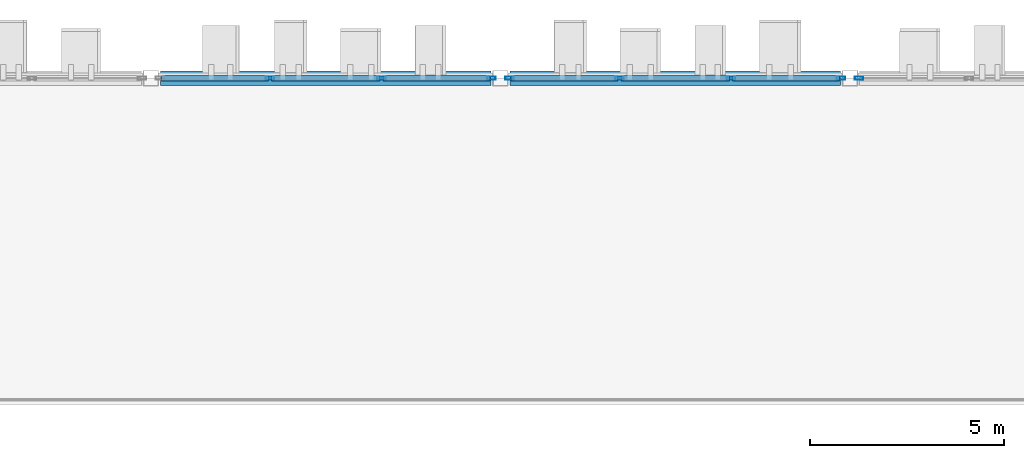
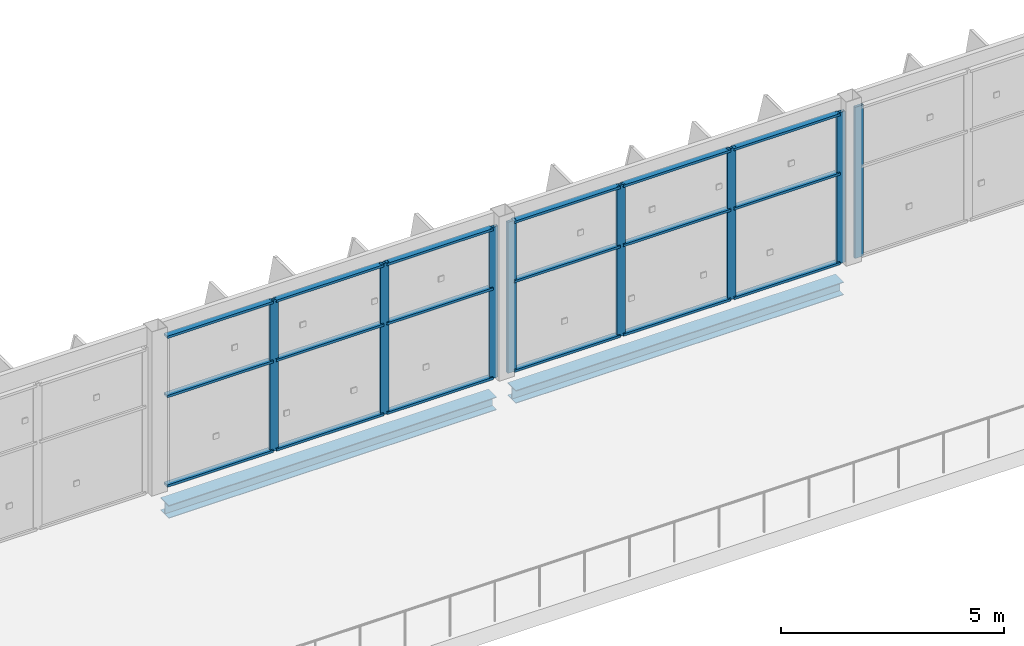
# One storey, part 81 of 151: 26 members, 2 beams, 3 elements without a shape of their own.
"""IFC4 building model written with IfcOpenShell, lengths in metres."""

from ifc_helpers import new_model, si_unit, direction, frame, origin, origin_2d, place, context, subcontext, project, spatial, hollow_rectangle, i_section, extrude, material, layer, layer_set, material_profile, profile_set, type_object, element, aggregate, save


model = new_model("IFC4")

# Units and contexts
model_context = context("Model", 3, precision=1e-05, world=origin(), true_north=direction((0.0, 1.0)))
body_context = subcontext(model_context, "Body", "Model", "MODEL_VIEW")
ifc_project = project(units=[si_unit("LENGTHUNIT", "METRE"), si_unit("AREAUNIT", "SQUARE_METRE"), si_unit("VOLUMEUNIT", "CUBIC_METRE"), si_unit("PLANEANGLEUNIT", "RADIAN"), si_unit("MASSUNIT", "GRAM", prefix="KILO")], contexts=[model_context])

# Site, building, storey
site_placement = place(None, origin())
site = spatial("IfcSite", under=ifc_project, at=site_placement, CompositionType="ELEMENT")
building_placement = place(site_placement, origin())
building = spatial("IfcBuilding", under=site, at=building_placement, Name="Celestram Park Convention Centre", CompositionType="ELEMENT")
storey_placement = place(building_placement, frame((0.0, 0.0, 10.800048828125)))
storey = spatial("IfcBuildingStorey", under=building, at=storey_placement, Name="L02", CompositionType="ELEMENT", Elevation=10.800048828125)

# Curtain wall, members
ifc_material_1 = material(Name="Anodised Aluminium Alloy 6063-T6", Category="aluminium")
ifc_layer = layer(ifc_material_1, 0.179931640625)
ifc_layer_set = layer_set([ifc_layer], Name="Anodised Aluminium Alloy 6063-T6")
curtain_wall_type = type_object("IfcCurtainWallType", Name="ARC-CW-860X414", PredefinedType="NOTDEFINED", material=ifc_layer_set)
curtain_wall_1_placement = place(storey_placement, origin())
curtain_wall_1 = element("IfcCurtainWall", 1, at=curtain_wall_1_placement, inside=storey, type_object=curtain_wall_type, Name="Unitised curtain wall CU-L02-164", PredefinedType="NOTDEFINED")
ifc_material_profile_1 = material_profile(ifc_material_1, hollow_rectangle(XDim=0.074951171875, YDim=0.219970703125, WallThickness=0.00390625, at=origin_2d()), Name="ALU75X220X4")
ifc_profile_set_1 = profile_set([ifc_material_profile_1], Name="Anodised Aluminium Alloy 6063-T6")
member_type_1 = type_object("IfcMemberType", Name="ARC-CWM-180", PredefinedType="MULLION", material=ifc_profile_set_1)
member_1_placement = place(storey_placement, frame((165.06591796875, 165.60009765625, 0.0), z_axis=(0.0, 0.0, 1.0), x_axis=(0.0, 1.0, 0.0)))
member_1 = element("IfcMember", 2, at=member_1_placement, type_object=member_type_1, Name="CW-86X41 mullion 2", PredefinedType="MULLION", context=body_context, shape_type="SweptSolid", body=[
    extrude(hollow_rectangle(XDim=0.074951171875, YDim=0.219970703125, WallThickness=0.00390625, at=origin_2d()), origin(), (0.0, 0.0, 1.0), 4.14404296875),
])
member_2_placement = place(storey_placement, frame((167.93408203125, 165.60009765625, 0.0), z_axis=(0.0, 0.0, 1.0), x_axis=(0.0, 1.0, 0.0)))
member_2 = element("IfcMember", 3, at=member_2_placement, type_object=member_type_1, Name="CW-86X41 mullion 3", PredefinedType="MULLION", context=body_context, shape_type="SweptSolid", body=[
    extrude(hollow_rectangle(XDim=0.074951171875, YDim=0.219970703125, WallThickness=0.00390625, at=origin_2d()), origin(), (0.0, 0.0, 1.0), 4.14404296875),
])
member_3_placement = place(storey_placement, frame((170.764404296875, 165.60009765625, 0.0), z_axis=(0.0, 0.0, 1.0), x_axis=(0.0, 1.0, 0.0)))
member_3 = element("IfcMember", 4, at=member_3_placement, type_object=member_type_1, Name="CW-86X41 mullion 4", PredefinedType="MULLION", context=body_context, shape_type="SweptSolid", body=[
    extrude(hollow_rectangle(XDim=0.074951171875, YDim=0.219970703125, WallThickness=0.00390625, at=origin_2d()), origin(), (0.0, 0.0, 1.0), 4.14404296875),
])

curtain_wall_2_placement = place(storey_placement, origin())
curtain_wall_2 = element("IfcCurtainWall", 5, at=curtain_wall_2_placement, inside=storey, type_object=curtain_wall_type, Name="Unitised curtain wall CU-L02-165", PredefinedType="NOTDEFINED")
member_4_placement = place(storey_placement, frame((171.235595703125, 165.60009765625, 0.0), z_axis=(0.0, 0.0, 1.0), x_axis=(0.0, 1.0, 0.0)))
member_4 = element("IfcMember", 6, at=member_4_placement, type_object=member_type_1, Name="CW-86X41 mullion 1", PredefinedType="MULLION", context=body_context, shape_type="SweptSolid", body=[
    extrude(hollow_rectangle(XDim=0.074951171875, YDim=0.219970703125, WallThickness=0.00390625, at=origin_2d()), origin(), (0.0, 0.0, 1.0), 4.14404296875),
])
member_5_placement = place(storey_placement, frame((174.06591796875, 165.60009765625, 0.0), z_axis=(0.0, 0.0, 1.0), x_axis=(0.0, 1.0, 0.0)))
member_5 = element("IfcMember", 7, at=member_5_placement, type_object=member_type_1, Name="CW-86X41 mullion 2", PredefinedType="MULLION", context=body_context, shape_type="SweptSolid", body=[
    extrude(hollow_rectangle(XDim=0.074951171875, YDim=0.219970703125, WallThickness=0.00390625, at=origin_2d()), origin(), (0.0, 0.0, 1.0), 4.14404296875),
])
member_6_placement = place(storey_placement, frame((176.93408203125, 165.60009765625, 0.0), z_axis=(0.0, 0.0, 1.0), x_axis=(0.0, 1.0, 0.0)))
member_6 = element("IfcMember", 8, at=member_6_placement, type_object=member_type_1, Name="CW-86X41 mullion 3", PredefinedType="MULLION", context=body_context, shape_type="SweptSolid", body=[
    extrude(hollow_rectangle(XDim=0.074951171875, YDim=0.219970703125, WallThickness=0.00390625, at=origin_2d()), origin(), (0.0, 0.0, 1.0), 4.14404296875),
])
member_7_placement = place(storey_placement, frame((179.764404296875, 165.60009765625, 0.0), z_axis=(0.0, 0.0, 1.0), x_axis=(0.0, 1.0, 0.0)))
member_7 = element("IfcMember", 9, at=member_7_placement, type_object=member_type_1, Name="CW-86X41 mullion 4", PredefinedType="MULLION", context=body_context, shape_type="SweptSolid", body=[
    extrude(hollow_rectangle(XDim=0.074951171875, YDim=0.219970703125, WallThickness=0.00390625, at=origin_2d()), origin(), (0.0, 0.0, 1.0), 4.14404296875),
])

# Curtain wall, member
curtain_wall_3_placement = place(storey_placement, origin())
curtain_wall_3 = element("IfcCurtainWall", 10, at=curtain_wall_3_placement, inside=storey, type_object=curtain_wall_type, Name="Unitised curtain wall CU-L02-166", PredefinedType="NOTDEFINED")
member_8_placement = place(storey_placement, frame((180.235595703125, 165.60009765625, 0.0), z_axis=(0.0, 0.0, 1.0), x_axis=(0.0, 1.0, 0.0)))
member_8 = element("IfcMember", 11, at=member_8_placement, type_object=member_type_1, Name="CW-86X41 mullion 1", PredefinedType="MULLION", context=body_context, shape_type="SweptSolid", body=[
    extrude(hollow_rectangle(XDim=0.074951171875, YDim=0.219970703125, WallThickness=0.00390625, at=origin_2d()), origin(), (0.0, 0.0, 1.0), 4.14404296875),
])
aggregate(curtain_wall_3, [member_8])

# Member
ifc_material_profile_2 = material_profile(ifc_material_1, hollow_rectangle(XDim=0.14990234375, YDim=0.06494140625, WallThickness=0.0029296875, at=origin_2d()), Name="ALU150X65X3")
ifc_profile_set_2 = profile_set([ifc_material_profile_2], Name="Anodised Aluminium Alloy 6063-T6")
member_type_2 = type_object("IfcMemberType", Name="ARC-CWT-150", PredefinedType="USERDEFINED", material=ifc_profile_set_2)
member_9_placement = place(storey_placement, frame((162.27294921875, 165.60009765625, 0.032470703125), z_axis=(1.0, 0.0, 0.0), x_axis=(0.0, 1.0, 0.0)))
member_9 = element("IfcMember", 12, at=member_9_placement, type_object=member_type_2, Name="CW-86X41 transom 1.1", ObjectType="TRANSOM", PredefinedType="USERDEFINED", context=body_context, shape_type="SweptSolid", body=[
    extrude(hollow_rectangle(XDim=0.14990234375, YDim=0.06494140625, WallThickness=0.0029296875, at=origin_2d()), origin(), (0.0, 0.0, 1.0), 2.755615234375),
])

member_10_placement = place(storey_placement, frame((162.27294921875, 165.60009765625, 2.48583984375), z_axis=(1.0, 0.0, 0.0), x_axis=(0.0, 1.0, 0.0)))
member_10 = element("IfcMember", 13, at=member_10_placement, type_object=member_type_2, Name="CW-86X41 transom 1.2", ObjectType="TRANSOM", PredefinedType="USERDEFINED", context=body_context, shape_type="SweptSolid", body=[
    extrude(hollow_rectangle(XDim=0.14990234375, YDim=0.06494140625, WallThickness=0.0029296875, at=origin_2d()), origin(), (0.0, 0.0, 1.0), 2.755615234375),
])

member_11_placement = place(storey_placement, frame((162.27294921875, 165.60009765625, 4.111572265625), z_axis=(1.0, 0.0, 0.0), x_axis=(0.0, 1.0, 0.0)))
member_11 = element("IfcMember", 14, at=member_11_placement, type_object=member_type_2, Name="CW-86X41 transom 1.3", ObjectType="TRANSOM", PredefinedType="USERDEFINED", context=body_context, shape_type="SweptSolid", body=[
    extrude(hollow_rectangle(XDim=0.14990234375, YDim=0.06494140625, WallThickness=0.0029296875, at=origin_2d()), origin(), (0.0, 0.0, 1.0), 2.755615234375),
])

member_12_placement = place(storey_placement, frame((165.103515625, 165.60009765625, 0.032470703125), z_axis=(1.0, 0.0, 0.0), x_axis=(0.0, 1.0, 0.0)))
member_12 = element("IfcMember", 15, at=member_12_placement, type_object=member_type_2, Name="CW-86X41 transom 2.1", ObjectType="TRANSOM", PredefinedType="USERDEFINED", context=body_context, shape_type="SweptSolid", body=[
    extrude(hollow_rectangle(XDim=0.14990234375, YDim=0.06494140625, WallThickness=0.0029296875, at=origin_2d()), origin(), (0.0, 0.0, 1.0), 2.79296875),
])

member_13_placement = place(storey_placement, frame((165.103515625, 165.60009765625, 2.48583984375), z_axis=(1.0, 0.0, 0.0), x_axis=(0.0, 1.0, 0.0)))
member_13 = element("IfcMember", 16, at=member_13_placement, type_object=member_type_2, Name="CW-86X41 transom 2.2", ObjectType="TRANSOM", PredefinedType="USERDEFINED", context=body_context, shape_type="SweptSolid", body=[
    extrude(hollow_rectangle(XDim=0.14990234375, YDim=0.06494140625, WallThickness=0.0029296875, at=origin_2d()), origin(), (0.0, 0.0, 1.0), 2.79296875),
])

member_14_placement = place(storey_placement, frame((165.103515625, 165.60009765625, 4.111572265625), z_axis=(1.0, 0.0, 0.0), x_axis=(0.0, 1.0, 0.0)))
member_14 = element("IfcMember", 17, at=member_14_placement, type_object=member_type_2, Name="CW-86X41 transom 2.3", ObjectType="TRANSOM", PredefinedType="USERDEFINED", context=body_context, shape_type="SweptSolid", body=[
    extrude(hollow_rectangle(XDim=0.14990234375, YDim=0.06494140625, WallThickness=0.0029296875, at=origin_2d()), origin(), (0.0, 0.0, 1.0), 2.79296875),
])

member_15_placement = place(storey_placement, frame((167.971435546875, 165.60009765625, 0.032470703125), z_axis=(1.0, 0.0, 0.0), x_axis=(0.0, 1.0, 0.0)))
member_15 = element("IfcMember", 18, at=member_15_placement, type_object=member_type_2, Name="CW-86X41 transom 3.1", ObjectType="TRANSOM", PredefinedType="USERDEFINED", context=body_context, shape_type="SweptSolid", body=[
    extrude(hollow_rectangle(XDim=0.14990234375, YDim=0.06494140625, WallThickness=0.0029296875, at=origin_2d()), origin(), (0.0, 0.0, 1.0), 2.755615234375),
])

member_16_placement = place(storey_placement, frame((167.971435546875, 165.60009765625, 2.48583984375), z_axis=(1.0, 0.0, 0.0), x_axis=(0.0, 1.0, 0.0)))
member_16 = element("IfcMember", 19, at=member_16_placement, type_object=member_type_2, Name="CW-86X41 transom 3.2", ObjectType="TRANSOM", PredefinedType="USERDEFINED", context=body_context, shape_type="SweptSolid", body=[
    extrude(hollow_rectangle(XDim=0.14990234375, YDim=0.06494140625, WallThickness=0.0029296875, at=origin_2d()), origin(), (0.0, 0.0, 1.0), 2.755615234375),
])

member_17_placement = place(storey_placement, frame((167.971435546875, 165.60009765625, 4.111572265625), z_axis=(1.0, 0.0, 0.0), x_axis=(0.0, 1.0, 0.0)))
member_17 = element("IfcMember", 20, at=member_17_placement, type_object=member_type_2, Name="CW-86X41 transom 3.3", ObjectType="TRANSOM", PredefinedType="USERDEFINED", context=body_context, shape_type="SweptSolid", body=[
    extrude(hollow_rectangle(XDim=0.14990234375, YDim=0.06494140625, WallThickness=0.0029296875, at=origin_2d()), origin(), (0.0, 0.0, 1.0), 2.755615234375),
])

aggregate(curtain_wall_1, [member_1, member_2, member_3, member_9, member_10, member_11, member_12, member_13, member_14, member_15, member_16, member_17])

member_18_placement = place(storey_placement, frame((171.27294921875, 165.60009765625, 0.032470703125), z_axis=(1.0, 0.0, 0.0), x_axis=(0.0, 1.0, 0.0)))
member_18 = element("IfcMember", 21, at=member_18_placement, type_object=member_type_2, Name="CW-86X41 transom 1.1", ObjectType="TRANSOM", PredefinedType="USERDEFINED", context=body_context, shape_type="SweptSolid", body=[
    extrude(hollow_rectangle(XDim=0.14990234375, YDim=0.06494140625, WallThickness=0.0029296875, at=origin_2d()), origin(), (0.0, 0.0, 1.0), 2.755615234375),
])

member_19_placement = place(storey_placement, frame((171.27294921875, 165.60009765625, 2.48583984375), z_axis=(1.0, 0.0, 0.0), x_axis=(0.0, 1.0, 0.0)))
member_19 = element("IfcMember", 22, at=member_19_placement, type_object=member_type_2, Name="CW-86X41 transom 1.2", ObjectType="TRANSOM", PredefinedType="USERDEFINED", context=body_context, shape_type="SweptSolid", body=[
    extrude(hollow_rectangle(XDim=0.14990234375, YDim=0.06494140625, WallThickness=0.0029296875, at=origin_2d()), origin(), (0.0, 0.0, 1.0), 2.755615234375),
])

member_20_placement = place(storey_placement, frame((171.27294921875, 165.60009765625, 4.111572265625), z_axis=(1.0, 0.0, 0.0), x_axis=(0.0, 1.0, 0.0)))
member_20 = element("IfcMember", 23, at=member_20_placement, type_object=member_type_2, Name="CW-86X41 transom 1.3", ObjectType="TRANSOM", PredefinedType="USERDEFINED", context=body_context, shape_type="SweptSolid", body=[
    extrude(hollow_rectangle(XDim=0.14990234375, YDim=0.06494140625, WallThickness=0.0029296875, at=origin_2d()), origin(), (0.0, 0.0, 1.0), 2.755615234375),
])

member_21_placement = place(storey_placement, frame((174.103515625, 165.60009765625, 0.032470703125), z_axis=(1.0, 0.0, 0.0), x_axis=(0.0, 1.0, 0.0)))
member_21 = element("IfcMember", 24, at=member_21_placement, type_object=member_type_2, Name="CW-86X41 transom 2.1", ObjectType="TRANSOM", PredefinedType="USERDEFINED", context=body_context, shape_type="SweptSolid", body=[
    extrude(hollow_rectangle(XDim=0.14990234375, YDim=0.06494140625, WallThickness=0.0029296875, at=origin_2d()), origin(), (0.0, 0.0, 1.0), 2.79296875),
])

member_22_placement = place(storey_placement, frame((174.103515625, 165.60009765625, 2.48583984375), z_axis=(1.0, 0.0, 0.0), x_axis=(0.0, 1.0, 0.0)))
member_22 = element("IfcMember", 25, at=member_22_placement, type_object=member_type_2, Name="CW-86X41 transom 2.2", ObjectType="TRANSOM", PredefinedType="USERDEFINED", context=body_context, shape_type="SweptSolid", body=[
    extrude(hollow_rectangle(XDim=0.14990234375, YDim=0.06494140625, WallThickness=0.0029296875, at=origin_2d()), origin(), (0.0, 0.0, 1.0), 2.79296875),
])

member_23_placement = place(storey_placement, frame((174.103515625, 165.60009765625, 4.111572265625), z_axis=(1.0, 0.0, 0.0), x_axis=(0.0, 1.0, 0.0)))
member_23 = element("IfcMember", 26, at=member_23_placement, type_object=member_type_2, Name="CW-86X41 transom 2.3", ObjectType="TRANSOM", PredefinedType="USERDEFINED", context=body_context, shape_type="SweptSolid", body=[
    extrude(hollow_rectangle(XDim=0.14990234375, YDim=0.06494140625, WallThickness=0.0029296875, at=origin_2d()), origin(), (0.0, 0.0, 1.0), 2.79296875),
])

member_24_placement = place(storey_placement, frame((176.971435546875, 165.60009765625, 0.032470703125), z_axis=(1.0, 0.0, 0.0), x_axis=(0.0, 1.0, 0.0)))
member_24 = element("IfcMember", 27, at=member_24_placement, type_object=member_type_2, Name="CW-86X41 transom 3.1", ObjectType="TRANSOM", PredefinedType="USERDEFINED", context=body_context, shape_type="SweptSolid", body=[
    extrude(hollow_rectangle(XDim=0.14990234375, YDim=0.06494140625, WallThickness=0.0029296875, at=origin_2d()), origin(), (0.0, 0.0, 1.0), 2.755615234375),
])

member_25_placement = place(storey_placement, frame((176.971435546875, 165.60009765625, 2.48583984375), z_axis=(1.0, 0.0, 0.0), x_axis=(0.0, 1.0, 0.0)))
member_25 = element("IfcMember", 28, at=member_25_placement, type_object=member_type_2, Name="CW-86X41 transom 3.2", ObjectType="TRANSOM", PredefinedType="USERDEFINED", context=body_context, shape_type="SweptSolid", body=[
    extrude(hollow_rectangle(XDim=0.14990234375, YDim=0.06494140625, WallThickness=0.0029296875, at=origin_2d()), origin(), (0.0, 0.0, 1.0), 2.755615234375),
])

member_26_placement = place(storey_placement, frame((176.971435546875, 165.60009765625, 4.111572265625), z_axis=(1.0, 0.0, 0.0), x_axis=(0.0, 1.0, 0.0)))
member_26 = element("IfcMember", 29, at=member_26_placement, type_object=member_type_2, Name="CW-86X41 transom 3.3", ObjectType="TRANSOM", PredefinedType="USERDEFINED", context=body_context, shape_type="SweptSolid", body=[
    extrude(hollow_rectangle(XDim=0.14990234375, YDim=0.06494140625, WallThickness=0.0029296875, at=origin_2d()), origin(), (0.0, 0.0, 1.0), 2.755615234375),
])

aggregate(curtain_wall_2, [member_4, member_5, member_6, member_7, member_18, member_19, member_20, member_21, member_22, member_23, member_24, member_25, member_26])

# Beams
ifc_material_2 = material(Name="Steel ASTM A992 Grade 50", Category="steel")
ifc_material_profile_3 = material_profile(ifc_material_2, i_section(OverallWidth=0.367919921875, OverallDepth=0.35595703125, WebThickness=0.01123046875, FlangeThickness=0.01806640625, at=origin_2d()), Name="W14X90")
ifc_profile_set_3 = profile_set([ifc_material_profile_3], Name="Steel ASTM A992 Grade 50")
beam_type = type_object("IfcBeamType", Name="STR-SPN-W14X90", PredefinedType="SPANDREL", material=ifc_profile_set_3)
for number, where, z_axis, x_axis, name in (
    (30, (162.248046875, 165.60009765625, -0.59814453125), (1.0, 0.0, 0.0), (0.0, 1.0, 0.0), "Primary X-girder BG-L02-0296"),
    (31, (171.248046875, 165.60009765625, -0.59814453125), (1.0, 0.0, 0.0), (0.0, 1.0, 0.0), "Primary X-girder BG-L02-0309"),
):
    element("IfcBeam", number, at=place(storey_placement, frame(where, z_axis=z_axis, x_axis=x_axis)), inside=storey, type_object=beam_type, Name=name, PredefinedType="SPANDREL", context=body_context, shape_type="SweptSolid", body=[
        extrude(i_section(OverallWidth=0.367919921875, OverallDepth=0.35595703125, WebThickness=0.01123046875, FlangeThickness=0.01806640625, at=origin_2d()), origin(), (0.0, 0.0, 1.0), 8.50390625),
    ])

save(model, "model.ifc")
